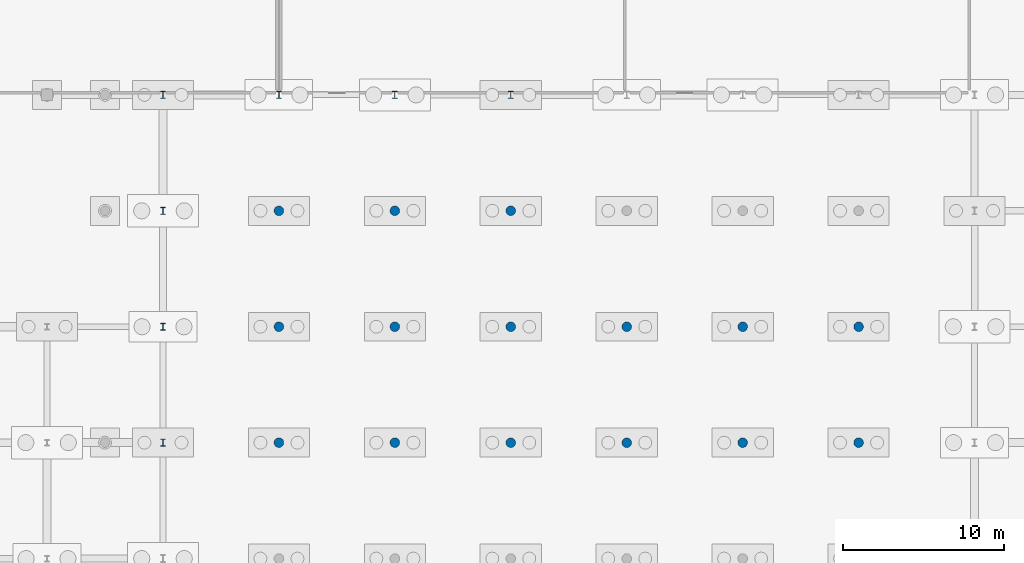
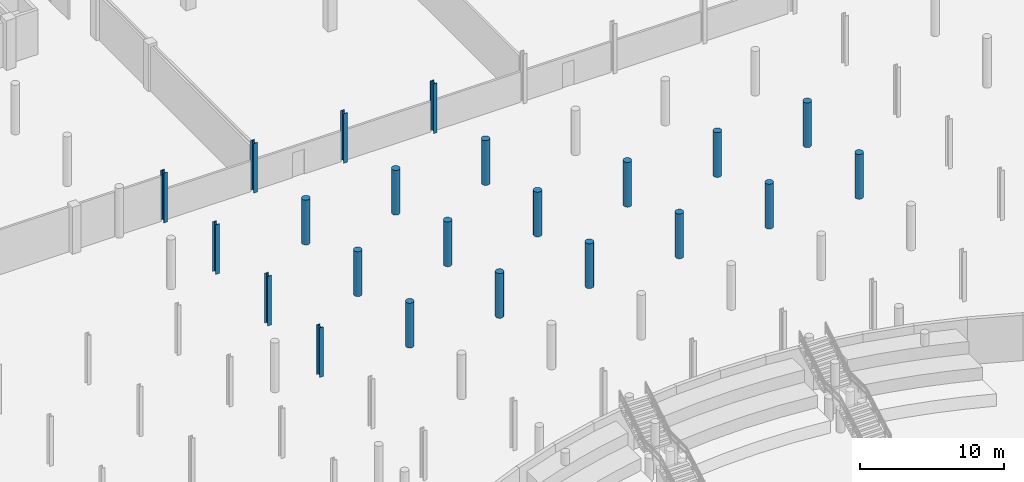
# One storey, part 28 of 56: 22 columns.
"""IFC4 building model written with IfcOpenShell, lengths in metres."""

from ifc_helpers import new_model, si_unit, direction, frame, origin, origin_2d, place, context, subcontext, project, spatial, circle, i_section, extrude, material, material_profile, profile_set, type_object, element, save


model = new_model("IFC4")

# Units and contexts
model_context = context("Model", 3, precision=1e-05, world=origin(), true_north=direction((0.0, 1.0)))
body_context = subcontext(model_context, "Body", "Model", "MODEL_VIEW")
ifc_project = project(units=[si_unit("LENGTHUNIT", "METRE"), si_unit("AREAUNIT", "SQUARE_METRE"), si_unit("VOLUMEUNIT", "CUBIC_METRE"), si_unit("PLANEANGLEUNIT", "RADIAN"), si_unit("MASSUNIT", "GRAM", prefix="KILO")], contexts=[model_context])

# Site, building, storey
site_placement = place(None, origin())
site = spatial("IfcSite", under=ifc_project, at=site_placement, CompositionType="ELEMENT")
building_placement = place(site_placement, origin())
building = spatial("IfcBuilding", under=site, at=building_placement, Name="Suanplinth Sawtooth Commons", CompositionType="ELEMENT")
storey_placement = place(building_placement, frame((0.0, 0.0, -4.199951171875)))
storey = spatial("IfcBuildingStorey", under=building, at=storey_placement, Name="B1", CompositionType="ELEMENT", Elevation=-4.199951171875)

# Columns
ifc_material_1 = material(Name="Concrete C40/50", Category="concrete")
ifc_material_profile_1 = material_profile(ifc_material_1, circle(Radius=0.300048828125, at=origin_2d()), Name="RC-CIRC D600")
ifc_profile_set_1 = profile_set([ifc_material_profile_1], Name="Concrete C40/50")
column_type_1 = type_object("IfcColumnType", Name="C-08", PredefinedType="COLUMN", material=ifc_profile_set_1)
for number, where, z_axis, x_axis, name in (
    (1, (72.0, 64.800048828125, 0.0), (0.0, 0.0, 1.0), (1.0, 0.0, 0.0), "Substructure Column B1 11/K"),
    (2, (72.0, 72.0, 0.0), (0.0, 0.0, 1.0), (1.0, 0.0, 0.0), "Substructure Column B1 11/L"),
    (3, (72.0, 79.199951171875, 0.0), (0.0, 0.0, 1.0), (1.0, 0.0, 0.0), "Substructure Column B1 11/M"),
    (4, (79.199951171875, 64.800048828125, 0.0), (0.0, 0.0, 1.0), (1.0, 0.0, 0.0), "Substructure Column B1 12/K"),
    (5, (79.199951171875, 72.0, 0.0), (0.0, 0.0, 1.0), (1.0, 0.0, 0.0), "Substructure Column B1 12/L"),
    (6, (79.199951171875, 79.199951171875, 0.0), (0.0, 0.0, 1.0), (1.0, 0.0, 0.0), "Substructure Column B1 12/M"),
    (7, (86.39990234375, 64.800048828125, 0.0), (0.0, 0.0, 1.0), (1.0, 0.0, 0.0), "Substructure Column B1 13/K"),
    (8, (86.39990234375, 72.0, 0.0), (0.0, 0.0, 1.0), (1.0, 0.0, 0.0), "Substructure Column B1 13/L"),
    (9, (86.39990234375, 79.199951171875, 0.0), (0.0, 0.0, 1.0), (1.0, 0.0, 0.0), "Substructure Column B1 13/M"),
    (10, (93.60009765625, 64.800048828125, 0.0), (0.0, 0.0, 1.0), (1.0, 0.0, 0.0), "Substructure Column B1 14/K"),
    (11, (93.60009765625, 72.0, 0.0), (0.0, 0.0, 1.0), (1.0, 0.0, 0.0), "Substructure Column B1 14/L"),
    (12, (100.800048828125, 64.800048828125, 0.0), (0.0, 0.0, 1.0), (1.0, 0.0, 0.0), "Substructure Column B1 15/K"),
    (13, (100.800048828125, 72.0, 0.0), (0.0, 0.0, 1.0), (1.0, 0.0, 0.0), "Substructure Column B1 15/L"),
    (14, (108.0, 64.800048828125, 0.0), (0.0, 0.0, 1.0), (1.0, 0.0, 0.0), "Substructure Column B1 16/K"),
    (15, (108.0, 72.0, 0.0), (0.0, 0.0, 1.0), (1.0, 0.0, 0.0), "Substructure Column B1 16/L"),
):
    element("IfcColumn", number, at=place(storey_placement, frame(where, z_axis=z_axis, x_axis=x_axis)), inside=storey, type_object=column_type_1, Name=name, PredefinedType="COLUMN", context=body_context, shape_type="SweptSolid", body=[
        extrude(circle(Radius=0.300048828125, at=origin_2d()), origin(), (0.0, 0.0, 1.0), 3.7900390625),
    ])
ifc_material_2 = material(Name="Steel S355JR", Category="steel")
ifc_material_profile_2 = material_profile(ifc_material_2, i_section(OverallWidth=0.300048828125, OverallDepth=0.449951171875, WebThickness=0.013916015625, FlangeThickness=0.02587890625, at=origin_2d()), Name="HEB 450")
ifc_profile_set_2 = profile_set([ifc_material_profile_2], Name="Steel S355JR")
column_type_2 = type_object("IfcColumnType", Name="C-09", PredefinedType="COLUMN", material=ifc_profile_set_2)
for number, where, z_axis, x_axis, name in (
    (16, (64.800048828125, 64.800048828125, 0.0), (0.0, 0.0, 1.0), (1.0, 0.0, 0.0), "Column B1 10/K"),
    (17, (64.800048828125, 72.0, 0.0), (0.0, 0.0, 1.0), (1.0, 0.0, 0.0), "Column B1 10/L"),
    (18, (64.800048828125, 79.199951171875, 0.0), (0.0, 0.0, 1.0), (1.0, 0.0, 0.0), "Column B1 10/M"),
    (19, (64.800048828125, 86.39990234375, 0.0), (0.0, 0.0, 1.0), (1.0, 0.0, 0.0), "Column B1 10/N"),
    (20, (72.0, 86.39990234375, 0.0), (0.0, 0.0, 1.0), (1.0, 0.0, 0.0), "Column B1 11/N"),
    (21, (79.199951171875, 86.39990234375, 0.0), (0.0, 0.0, 1.0), (1.0, 0.0, 0.0), "Column B1 12/N"),
    (22, (86.39990234375, 86.39990234375, 0.0), (0.0, 0.0, 1.0), (1.0, 0.0, 0.0), "Column B1 13/N"),
):
    element("IfcColumn", number, at=place(storey_placement, frame(where, z_axis=z_axis, x_axis=x_axis)), inside=storey, type_object=column_type_2, Name=name, PredefinedType="COLUMN", context=body_context, shape_type="SweptSolid", body=[
        extrude(i_section(OverallWidth=0.300048828125, OverallDepth=0.449951171875, WebThickness=0.013916015625, FlangeThickness=0.02587890625, at=origin_2d()), origin(), (0.0, 0.0, 1.0), 4.199951171875),
    ])

save(model, "model.ifc")
